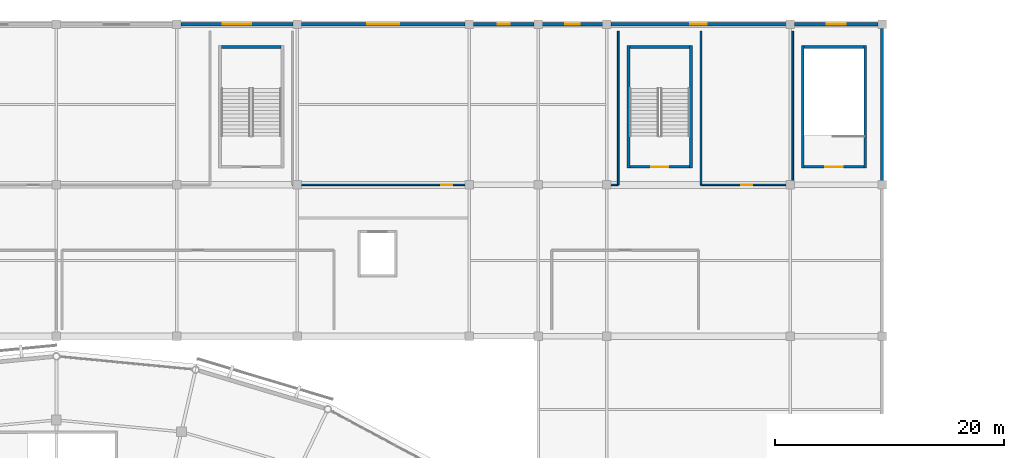
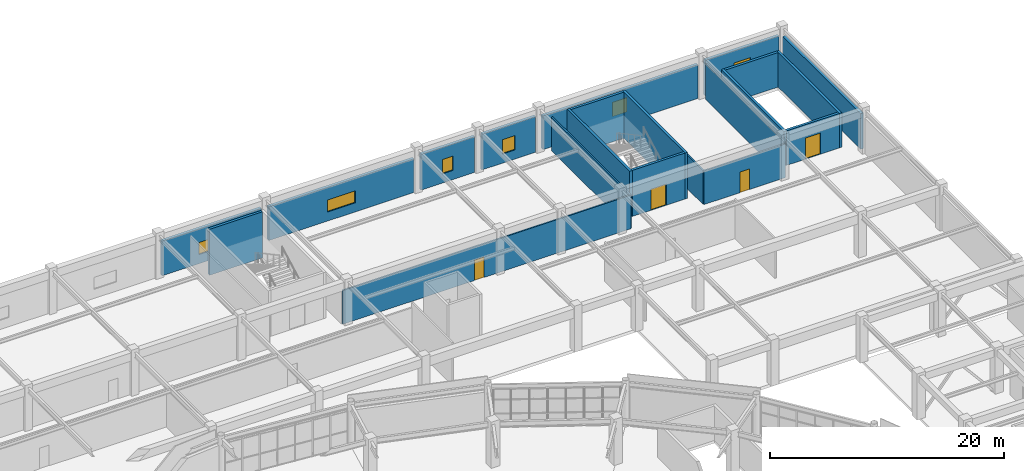
# One storey, part 92 of 112: 21 walls, 6 windows, 4 doors, 10 openings.
"""IFC4 building model written with IfcOpenShell, lengths in metres."""

from ifc_helpers import new_model, si_unit, direction, frame, frame_2d, origin, place, context, subcontext, project, spatial, rectangle, extrude, material, layer, layer_set, type_object, element, fill, save


model = new_model("IFC4")

# Units and contexts
model_context = context("Model", 3, precision=1e-05, world=origin(), true_north=direction((0.0, 1.0)))
body_context = subcontext(model_context, "Body", "Model", "MODEL_VIEW")
ifc_project = project(units=[si_unit("LENGTHUNIT", "METRE"), si_unit("AREAUNIT", "SQUARE_METRE"), si_unit("VOLUMEUNIT", "CUBIC_METRE"), si_unit("PLANEANGLEUNIT", "RADIAN"), si_unit("MASSUNIT", "GRAM", prefix="KILO")], contexts=[model_context])

# Site, building, storey
site_placement = place(None, origin())
site = spatial("IfcSite", under=ifc_project, at=site_placement, CompositionType="ELEMENT")
building_placement = place(site_placement, origin())
building = spatial("IfcBuilding", under=site, at=building_placement, Name="Cuetzalor Civic Arena", CompositionType="ELEMENT")
storey_placement = place(building_placement, frame((0.0, 0.0, 11.39990234375)))
storey = spatial("IfcBuildingStorey", under=building, at=storey_placement, Name="L02", CompositionType="ELEMENT", Elevation=11.39990234375)

# Wall, opening, door
ifc_material_1 = material(Name="Acoustic steel-stud gypsum partition", Category="steel")
ifc_layer_1 = layer(ifc_material_1, 0.14990234375)
ifc_layer_set_1 = layer_set([ifc_layer_1], Name="Acoustic steel-stud gypsum partition")
wall_type_1 = type_object("IfcWallType", Name="AcousticGypsumPartition_150", PredefinedType="PARTITIONING", material=ifc_layer_set_1)
wall_1_placement = place(storey_placement, frame((49.0, 61.5, 0.0), z_axis=(0.0, 0.0, 1.0), x_axis=(-1.0, 0.0, 0.0)))
wall_1 = element("IfcWall", 1, at=wall_1_placement, inside=storey, type_object=wall_type_1, Name="Interior Partition IWALL:L02:0370", PredefinedType="PARTITIONING", context=body_context, shape_type="SweptSolid", body=[
    extrude(rectangle(XDim=28.39990234375, YDim=0.14990234375, at=frame_2d((14.199951171875, 0.0))), origin(), (0.0, 0.0, 1.0), 3.505126953125),
])
opening_1_placement = place(wall_1_placement, frame((14.47509765625, 0.0, 0.0)))
opening_1 = element("IfcOpeningElement", 2, at=opening_1_placement, cuts=wall_1, Name="Opening ID-03", PredefinedType="OPENING", context=body_context, shape_type="SweptSolid", body=[
    extrude(rectangle(XDim=0.949951171875, YDim=2.14990234375, at=frame_2d((0.47509765625, 1.074951171875))), frame((0.0, 0.0849609375, 0.0), z_axis=(0.0, -1.0, 0.0), x_axis=(1.0, 0.0, 0.0)), (0.0, 0.0, 1.0), 0.169921875),
])
ifc_material_2 = material(Name="Painted steel frame and solid timber leaf", Category="steel")
door_type_1 = type_object("IfcDoorType", Name="InteriorSingleDoor_950x2150", OperationType="NOTDEFINED", PredefinedType="DOOR", material=ifc_material_2)
door_1_placement = place(opening_1_placement, origin())
door_1 = element("IfcDoor", 3, at=door_1_placement, inside=storey, type_object=door_type_1, Name="Door to Security Operations Room", OperationType="SINGLE_SWING_RIGHT", OverallHeight=2.14990234375, OverallWidth=0.949951171875, PredefinedType="DOOR", context=body_context, shape_type="SweptSolid", body=[
    extrude(rectangle(XDim=0.949951171875, YDim=2.14990234375, at=frame_2d((0.47509765625, 1.074951171875))), frame((0.0, 0.02490234375, 0.0), z_axis=(0.0, -1.0, 0.0), x_axis=(1.0, 0.0, 0.0)), (0.0, 0.0, 1.0), 0.050048828125),
])
fill(opening_1, door_1)

# Wall
wall_2_placement = place(storey_placement, frame((49.0, 74.89990234375, 0.0), z_axis=(0.0, 0.0, 1.0), x_axis=(0.0, -1.0, 0.0)))
element("IfcWall", 4, at=wall_2_placement, inside=storey, type_object=wall_type_1, Name="Interior Partition IWALL:L02:0371", PredefinedType="PARTITIONING", context=body_context, shape_type="SweptSolid", body=[
    extrude(rectangle(XDim=13.39990234375, YDim=0.14990234375, at=frame_2d((6.699951171875, 0.0))), origin(), (0.0, 0.0, 1.0), 3.505126953125),
])

# Wall, opening, door
wall_3_placement = place(storey_placement, frame((64.199951171875, 61.5, 0.0), z_axis=(0.0, 0.0, 1.0), x_axis=(-1.0, 0.0, 0.0)))
wall_3 = element("IfcWall", 5, at=wall_3_placement, inside=storey, type_object=wall_type_1, Name="Interior Partition IWALL:L02:0373", PredefinedType="PARTITIONING", context=body_context, shape_type="SweptSolid", body=[
    extrude(rectangle(XDim=8.0, YDim=0.14990234375, at=frame_2d((4.0, 0.0))), origin(), (0.0, 0.0, 1.0), 3.505126953125),
])
opening_2_placement = place(wall_3_placement, frame((3.52490234375, 0.0, 0.0)))
opening_2 = element("IfcOpeningElement", 6, at=opening_2_placement, cuts=wall_3, Name="Opening ID-03", PredefinedType="OPENING", context=body_context, shape_type="SweptSolid", body=[
    extrude(rectangle(XDim=0.949951171875, YDim=2.14990234375, at=frame_2d((0.47509765625, 1.074951171875))), frame((0.0, 0.0849609375, 0.0), z_axis=(0.0, -1.0, 0.0), x_axis=(1.0, 0.0, 0.0)), (0.0, 0.0, 1.0), 0.169921875),
])
door_2_placement = place(opening_2_placement, origin())
door_2 = element("IfcDoor", 7, at=door_2_placement, inside=storey, type_object=door_type_1, Name="Door to Public Restroom Admin L02", OperationType="SINGLE_SWING_LEFT", OverallHeight=2.14990234375, OverallWidth=0.949951171875, PredefinedType="DOOR", context=body_context, shape_type="SweptSolid", body=[
    extrude(rectangle(XDim=0.949951171875, YDim=2.14990234375, at=frame_2d((0.47509765625, 1.074951171875))), frame((0.0, 0.02490234375, 0.0), z_axis=(0.0, -1.0, 0.0), x_axis=(1.0, 0.0, 0.0)), (0.0, 0.0, 1.0), 0.050048828125),
])
fill(opening_2, door_2)

# Walls
wall_4_placement = place(storey_placement, frame((64.199951171875, 74.89990234375, 0.0), z_axis=(0.0, 0.0, 1.0), x_axis=(0.0, -1.0, 0.0)))
element("IfcWall", 8, at=wall_4_placement, inside=storey, type_object=wall_type_1, Name="Interior Partition IWALL:L02:0374", PredefinedType="PARTITIONING", context=body_context, shape_type="SweptSolid", body=[
    extrude(rectangle(XDim=13.39990234375, YDim=0.14990234375, at=frame_2d((6.699951171875, 0.0))), origin(), (0.0, 0.0, 1.0), 3.705078125),
])
wall_5_placement = place(storey_placement, frame((56.199951171875, 61.5, 0.0), z_axis=(0.0, 0.0, 1.0), x_axis=(0.0, 1.0, 0.0)))
element("IfcWall", 9, at=wall_5_placement, inside=storey, type_object=wall_type_1, Name="Interior Partition IWALL:L02:0375", PredefinedType="PARTITIONING", context=body_context, shape_type="SweptSolid", body=[
    extrude(rectangle(XDim=13.39990234375, YDim=0.14990234375, at=frame_2d((6.699951171875, 0.0))), origin(), (0.0, 0.0, 1.0), 3.505126953125),
])

# Wall, opening, window
ifc_material_3 = material(Name="Standing-seam charcoal zinc insulated wall", Category="steel")
ifc_layer_2 = layer(ifc_material_3, 0.280029296875)
ifc_layer_set_2 = layer_set([ifc_layer_2], Name="Standing-seam charcoal zinc insulated wall")
wall_type_2 = type_object("IfcWallType", Name="AcousticZincCladWall_280", PredefinedType="SOLIDWALL", material=ifc_layer_set_2)
wall_6_placement = place(storey_placement, frame((10.85693359375, 75.5, 0.0), z_axis=(0.0, 0.0, 1.0), x_axis=(1.0, 0.0, 0.0)))
wall_6 = element("IfcWall", 10, at=wall_6_placement, inside=storey, type_object=wall_type_2, Name="North Basalt Facade Wall L02-219", PredefinedType="SOLIDWALL", context=body_context, shape_type="SweptSolid", body=[
    extrude(rectangle(XDim=9.7861328125, YDim=0.280029296875, at=frame_2d((4.89306640625, 0.0))), origin(), (0.0, 0.0, 1.0), 3.6201171875),
])
opening_3_placement = place(wall_6_placement, frame((3.64306640625, 0.0, 0.949951171875)))
opening_3 = element("IfcOpeningElement", 11, at=opening_3_placement, cuts=wall_6, Name="Opening WN-08", PredefinedType="OPENING", context=body_context, shape_type="SweptSolid", body=[
    extrude(rectangle(XDim=2.5, YDim=1.25, at=frame_2d((1.25, 0.625))), frame((0.0, 0.14990234375, 0.0), z_axis=(0.0, -1.0, 0.0), x_axis=(1.0, 0.0, 0.0)), (0.0, 0.0, 1.0), 0.300048828125),
])
ifc_material_4 = material(Name="Anodised bronze aluminium and low-E solar glass", Category="aluminium")
window_type_1 = type_object("IfcWindowType", Name="BronzeThermalWindow_2500x1250", PartitioningType="DOUBLE_PANEL_VERTICAL", PredefinedType="WINDOW", material=ifc_material_4)
window_1_placement = place(opening_3_placement, origin())
window_1 = element("IfcWindow", 12, at=window_1_placement, inside=storey, type_object=window_type_1, Name="North Admin Window L02-0071", OverallHeight=1.25, OverallWidth=2.5, PartitioningType="SINGLE_PANEL", PredefinedType="WINDOW", context=body_context, shape_type="SweptSolid", body=[
    extrude(rectangle(XDim=2.5, YDim=1.25, at=frame_2d((1.25, 0.625))), frame((0.0, 0.030029296875, 0.0), z_axis=(0.0, -1.0, 0.0), x_axis=(1.0, 0.0, 0.0)), (0.0, 0.0, 1.0), 0.06005859375),
])
fill(opening_3, window_1)

wall_7_placement = place(storey_placement, frame((21.35693359375, 75.5, 0.0), z_axis=(0.0, 0.0, 1.0), x_axis=(1.0, 0.0, 0.0)))
wall_7 = element("IfcWall", 13, at=wall_7_placement, inside=storey, type_object=wall_type_2, Name="North Basalt Facade Wall L02-220", PredefinedType="SOLIDWALL", context=body_context, shape_type="SweptSolid", body=[
    extrude(rectangle(XDim=14.2861328125, YDim=0.280029296875, at=frame_2d((7.14306640625, 0.0))), origin(), (0.0, 0.0, 1.0), 3.52001953125),
])
opening_4_placement = place(wall_7_placement, frame((5.76806640625, 0.0, 0.949951171875)))
opening_4 = element("IfcOpeningElement", 14, at=opening_4_placement, cuts=wall_7, Name="Opening WN-09", PredefinedType="OPENING", context=body_context, shape_type="SweptSolid", body=[
    extrude(rectangle(XDim=2.75, YDim=1.25, at=frame_2d((1.375, 0.625))), frame((0.0, 0.14990234375, 0.0), z_axis=(0.0, -1.0, 0.0), x_axis=(1.0, 0.0, 0.0)), (0.0, 0.0, 1.0), 0.300048828125),
])
ifc_material_5 = material(Name="Anodised bronze aluminium and low-E solar glass", Category="aluminium")
window_type_2 = type_object("IfcWindowType", Name="BronzeThermalWindow_2750x1250", PartitioningType="DOUBLE_PANEL_VERTICAL", PredefinedType="WINDOW", material=ifc_material_5)
window_2_placement = place(opening_4_placement, origin())
window_2 = element("IfcWindow", 15, at=window_2_placement, inside=storey, type_object=window_type_2, Name="North Admin Window L02-0072", OverallHeight=1.25, OverallWidth=2.75, PartitioningType="SINGLE_PANEL", PredefinedType="WINDOW", context=body_context, shape_type="SweptSolid", body=[
    extrude(rectangle(XDim=2.75, YDim=1.25, at=frame_2d((1.375, 0.625))), frame((0.0, 0.030029296875, 0.0), z_axis=(0.0, -1.0, 0.0), x_axis=(1.0, 0.0, 0.0)), (0.0, 0.0, 1.0), 0.06005859375),
])
fill(opening_4, window_2)

wall_8_placement = place(storey_placement, frame((36.35693359375, 75.5, 0.0), z_axis=(0.0, 0.0, 1.0), x_axis=(1.0, 0.0, 0.0)))
wall_8 = element("IfcWall", 16, at=wall_8_placement, inside=storey, type_object=wall_type_2, Name="North Basalt Facade Wall L02-221", PredefinedType="SOLIDWALL", context=body_context, shape_type="SweptSolid", body=[
    extrude(rectangle(XDim=5.2861328125, YDim=0.280029296875, at=frame_2d((2.64306640625, 0.0))), origin(), (0.0, 0.0, 1.0), 3.72021484375),
])
opening_5_placement = place(wall_8_placement, frame((2.117919921875, 0.0, 0.949951171875)))
opening_5 = element("IfcOpeningElement", 17, at=opening_5_placement, cuts=wall_8, Name="Opening WN-10", PredefinedType="OPENING", context=body_context, shape_type="SweptSolid", body=[
    extrude(rectangle(XDim=1.050048828125, YDim=1.5, at=frame_2d((0.52490234375, 0.75))), frame((0.0, 0.14990234375, 0.0), z_axis=(0.0, -1.0, 0.0), x_axis=(1.0, 0.0, 0.0)), (0.0, 0.0, 1.0), 0.300048828125),
])
ifc_material_6 = material(Name="Anodised bronze aluminium and low-E solar glass", Category="aluminium")
window_type_3 = type_object("IfcWindowType", Name="BronzeThermalWindow_1050x1500", PartitioningType="SINGLE_PANEL", PredefinedType="WINDOW", material=ifc_material_6)
window_3_placement = place(opening_5_placement, origin())
window_3 = element("IfcWindow", 18, at=window_3_placement, inside=storey, type_object=window_type_3, Name="North Admin Window L02-0073", OverallHeight=1.5, OverallWidth=1.050048828125, PartitioningType="SINGLE_PANEL", PredefinedType="WINDOW", context=body_context, shape_type="SweptSolid", body=[
    extrude(rectangle(XDim=1.050048828125, YDim=1.5, at=frame_2d((0.52490234375, 0.75))), frame((0.0, 0.030029296875, 0.0), z_axis=(0.0, -1.0, 0.0), x_axis=(1.0, 0.0, 0.0)), (0.0, 0.0, 1.0), 0.06005859375),
])
fill(opening_5, window_3)

wall_9_placement = place(storey_placement, frame((42.35693359375, 75.5, 0.0), z_axis=(0.0, 0.0, 1.0), x_axis=(1.0, 0.0, 0.0)))
wall_9 = element("IfcWall", 19, at=wall_9_placement, inside=storey, type_object=wall_type_2, Name="North Basalt Facade Wall L02-222", PredefinedType="SOLIDWALL", context=body_context, shape_type="SweptSolid", body=[
    extrude(rectangle(XDim=5.2861328125, YDim=0.280029296875, at=frame_2d((2.64306640625, 0.0))), origin(), (0.0, 0.0, 1.0), 3.72021484375),
])
opening_6_placement = place(wall_9_placement, frame((2.01806640625, 0.0, 0.949951171875)))
opening_6 = element("IfcOpeningElement", 20, at=opening_6_placement, cuts=wall_9, Name="Opening WN-11", PredefinedType="OPENING", context=body_context, shape_type="SweptSolid", body=[
    extrude(rectangle(XDim=1.25, YDim=1.5, at=frame_2d((0.625, 0.75))), frame((0.0, 0.14990234375, 0.0), z_axis=(0.0, -1.0, 0.0), x_axis=(1.0, 0.0, 0.0)), (0.0, 0.0, 1.0), 0.300048828125),
])
ifc_material_7 = material(Name="Anodised bronze aluminium and low-E solar glass", Category="aluminium")
window_type_4 = type_object("IfcWindowType", Name="BronzeThermalWindow_1250x1500", PartitioningType="SINGLE_PANEL", PredefinedType="WINDOW", material=ifc_material_7)
window_4_placement = place(opening_6_placement, origin())
window_4 = element("IfcWindow", 21, at=window_4_placement, inside=storey, type_object=window_type_4, Name="North Admin Window L02-0074", OverallHeight=1.5, OverallWidth=1.25, PartitioningType="SINGLE_PANEL", PredefinedType="WINDOW", context=body_context, shape_type="SweptSolid", body=[
    extrude(rectangle(XDim=1.25, YDim=1.5, at=frame_2d((0.625, 0.75))), frame((0.0, 0.030029296875, 0.0), z_axis=(0.0, -1.0, 0.0), x_axis=(1.0, 0.0, 0.0)), (0.0, 0.0, 1.0), 0.06005859375),
])
fill(opening_6, window_4)

wall_10_placement = place(storey_placement, frame((48.35693359375, 75.5, 0.0), z_axis=(0.0, 0.0, 1.0), x_axis=(1.0, 0.0, 0.0)))
wall_10 = element("IfcWall", 22, at=wall_10_placement, inside=storey, type_object=wall_type_2, Name="North Basalt Facade Wall L02-223", PredefinedType="SOLIDWALL", context=body_context, shape_type="SweptSolid", body=[
    extrude(rectangle(XDim=15.2861328125, YDim=0.280029296875, at=frame_2d((7.64306640625, 0.0))), origin(), (0.0, 0.0, 1.0), 3.52001953125),
])
opening_7_placement = place(wall_10_placement, frame((6.91796875, 0.0, 0.949951171875)))
opening_7 = element("IfcOpeningElement", 23, at=opening_7_placement, cuts=wall_10, Name="Opening WN-12", PredefinedType="OPENING", context=body_context, shape_type="SweptSolid", body=[
    extrude(rectangle(XDim=1.449951171875, YDim=1.5, at=frame_2d((0.72509765625, 0.75))), frame((0.0, 0.14990234375, 0.0), z_axis=(0.0, -1.0, 0.0), x_axis=(1.0, 0.0, 0.0)), (0.0, 0.0, 1.0), 0.300048828125),
])
ifc_material_8 = material(Name="Anodised bronze aluminium and low-E solar glass", Category="aluminium")
window_type_5 = type_object("IfcWindowType", Name="BronzeThermalWindow_1450x1500", PartitioningType="SINGLE_PANEL", PredefinedType="WINDOW", material=ifc_material_8)
window_5_placement = place(opening_7_placement, origin())
window_5 = element("IfcWindow", 24, at=window_5_placement, inside=storey, type_object=window_type_5, Name="North Admin Window L02-0075", OverallHeight=1.5, OverallWidth=1.449951171875, PartitioningType="SINGLE_PANEL", PredefinedType="WINDOW", context=body_context, shape_type="SweptSolid", body=[
    extrude(rectangle(XDim=1.449951171875, YDim=1.5, at=frame_2d((0.72509765625, 0.75))), frame((0.0, 0.030029296875, 0.0), z_axis=(0.0, -1.0, 0.0), x_axis=(1.0, 0.0, 0.0)), (0.0, 0.0, 1.0), 0.06005859375),
])
fill(opening_7, window_5)

wall_11_placement = place(storey_placement, frame((64.35693359375, 75.5, 0.0), z_axis=(0.0, 0.0, 1.0), x_axis=(1.0, 0.0, 0.0)))
wall_11 = element("IfcWall", 25, at=wall_11_placement, inside=storey, type_object=wall_type_2, Name="North Basalt Facade Wall L02-224", PredefinedType="SOLIDWALL", context=body_context, shape_type="SweptSolid", body=[
    extrude(rectangle(XDim=7.2861328125, YDim=0.280029296875, at=frame_2d((3.64306640625, 0.0))), origin(), (0.0, 0.0, 1.0), 3.72021484375),
])
opening_8_placement = place(wall_11_placement, frame((2.818115234375, 0.0, 0.949951171875)))
opening_8 = element("IfcOpeningElement", 26, at=opening_8_placement, cuts=wall_11, Name="Opening WN-13", PredefinedType="OPENING", context=body_context, shape_type="SweptSolid", body=[
    extrude(rectangle(XDim=1.64990234375, YDim=1.5, at=frame_2d((0.824951171875, 0.75))), frame((0.0, 0.14990234375, 0.0), z_axis=(0.0, -1.0, 0.0), x_axis=(1.0, 0.0, 0.0)), (0.0, 0.0, 1.0), 0.300048828125),
])
ifc_material_9 = material(Name="Anodised bronze aluminium and low-E solar glass", Category="aluminium")
window_type_6 = type_object("IfcWindowType", Name="BronzeThermalWindow_1650x1500", PartitioningType="SINGLE_PANEL", PredefinedType="WINDOW", material=ifc_material_9)
window_6_placement = place(opening_8_placement, origin())
window_6 = element("IfcWindow", 27, at=window_6_placement, inside=storey, type_object=window_type_6, Name="North Admin Window L02-0076", OverallHeight=1.5, OverallWidth=1.64990234375, PartitioningType="SINGLE_PANEL", PredefinedType="WINDOW", context=body_context, shape_type="SweptSolid", body=[
    extrude(rectangle(XDim=1.64990234375, YDim=1.5, at=frame_2d((0.824951171875, 0.75))), frame((0.0, 0.030029296875, 0.0), z_axis=(0.0, -1.0, 0.0), x_axis=(1.0, 0.0, 0.0)), (0.0, 0.0, 1.0), 0.06005859375),
])
fill(opening_8, window_6)

# Walls
wall_12_placement = place(storey_placement, frame((72.0, 75.14306640625, 0.0), z_axis=(0.0, 0.0, 1.0), x_axis=(0.0, -1.0, 0.0)))
element("IfcWall", 28, at=wall_12_placement, inside=storey, type_object=wall_type_2, Name="North Wing East Basalt Wall L02-248", PredefinedType="SOLIDWALL", context=body_context, shape_type="SweptSolid", body=[
    extrude(rectangle(XDim=13.2861328125, YDim=0.280029296875, at=frame_2d((6.64306640625, 0.0))), origin(), (0.0, 0.0, 1.0), 3.72021484375),
])
ifc_material_10 = material(Name="Concrete C40/50", Category="concrete")
ifc_layer_3 = layer(ifc_material_10, 0.25)
ifc_layer_set_3 = layer_set([ifc_layer_3], Name="Concrete C40/50")
wall_type_3 = type_object("IfcWallType", Name="ConcreteCoreShearWall_250", PredefinedType="SHEAR", material=ifc_layer_set_3)
wall_13_placement = place(storey_placement, frame((14.39990234375, 73.52490234375, 0.0), z_axis=(0.0, 0.0, 1.0), x_axis=(1.0, 0.0, 0.0)))
element("IfcWall", 29, at=wall_13_placement, inside=storey, type_object=wall_type_3, Name="Stair Core Shear Wall ST-26-L02-N", PredefinedType="SHEAR", context=body_context, shape_type="SweptSolid", body=[
    extrude(rectangle(XDim=5.2001953125, YDim=0.25, at=frame_2d((2.60009765625, 0.0))), origin(), (0.0, 0.0, 1.0), 4.800048828125),
])
wall_14_placement = place(storey_placement, frame((49.875, 62.949951171875, 0.0), z_axis=(0.0, 0.0, 1.0), x_axis=(0.0, 1.0, 0.0)))
element("IfcWall", 30, at=wall_14_placement, inside=storey, type_object=wall_type_3, Name="Stair Core Shear Wall ST-27-L02-W", PredefinedType="SHEAR", context=body_context, shape_type="SweptSolid", body=[
    extrude(rectangle(XDim=10.699951171875, YDim=0.25, at=frame_2d((5.35009765625, 0.0))), origin(), (0.0, 0.0, 1.0), 4.800048828125),
])
wall_15_placement = place(storey_placement, frame((50.0, 73.52490234375, 0.0), z_axis=(0.0, 0.0, 1.0), x_axis=(1.0, 0.0, 0.0)))
element("IfcWall", 31, at=wall_15_placement, inside=storey, type_object=wall_type_3, Name="Stair Core Shear Wall ST-27-L02-N", PredefinedType="SHEAR", context=body_context, shape_type="SweptSolid", body=[
    extrude(rectangle(XDim=5.199951171875, YDim=0.25, at=frame_2d((2.60009765625, 0.0))), origin(), (0.0, 0.0, 1.0), 4.800048828125),
])
wall_16_placement = place(storey_placement, frame((55.324951171875, 73.64990234375, 0.0), z_axis=(0.0, 0.0, 1.0), x_axis=(0.0, -1.0, 0.0)))
element("IfcWall", 32, at=wall_16_placement, inside=storey, type_object=wall_type_3, Name="Stair Core Shear Wall ST-27-L02-E", PredefinedType="SHEAR", context=body_context, shape_type="SweptSolid", body=[
    extrude(rectangle(XDim=10.699951171875, YDim=0.25, at=frame_2d((5.35009765625, 0.0))), origin(), (0.0, 0.0, 1.0), 4.800048828125),
])

# Wall, opening, door
wall_17_placement = place(storey_placement, frame((55.199951171875, 63.074951171875, 0.0), z_axis=(0.0, 0.0, 1.0), x_axis=(-1.0, 0.0, 0.0)))
wall_17 = element("IfcWall", 33, at=wall_17_placement, inside=storey, type_object=wall_type_3, Name="Stair Core Shear Wall ST-27-L02-S", PredefinedType="SHEAR", context=body_context, shape_type="SweptSolid", body=[
    extrude(rectangle(XDim=5.199951171875, YDim=0.25, at=frame_2d((2.60009765625, 0.0))), origin(), (0.0, 0.0, 1.0), 4.800048828125),
])
opening_9_placement = place(wall_17_placement, frame((1.85009765625, 0.0, 0.0)))
opening_9 = element("IfcOpeningElement", 34, at=opening_9_placement, cuts=wall_17, Name="Opening FD-03", PredefinedType="OPENING", context=body_context, shape_type="SweptSolid", body=[
    extrude(rectangle(XDim=1.5, YDim=2.199951171875, at=frame_2d((0.75, 1.10009765625))), frame((0.0, 0.135009765625, 0.0), z_axis=(0.0, -1.0, 0.0), x_axis=(1.0, 0.0, 0.0)), (0.0, 0.0, 1.0), 0.27001953125),
])
ifc_material_11 = material(Name="Fire-rated steel stair exit double door", Category="steel")
door_type_2 = type_object("IfcDoorType", Name="StairFireDoubleDoor_1500x2200", OperationType="DOUBLE_DOOR_SINGLE_SWING", PredefinedType="DOOR", material=ifc_material_11)
door_3_placement = place(opening_9_placement, origin())
door_3 = element("IfcDoor", 35, at=door_3_placement, inside=storey, type_object=door_type_2, Name="Fire Stair Door ST-27 L02", OperationType="DOUBLE_DOOR_SINGLE_SWING", OverallHeight=2.199951171875, OverallWidth=1.5, PredefinedType="DOOR", context=body_context, shape_type="SweptSolid", body=[
    extrude(rectangle(XDim=1.5, YDim=2.199951171875, at=frame_2d((0.75, 1.10009765625))), frame((0.0, 0.02490234375, 0.0), z_axis=(0.0, -1.0, 0.0), x_axis=(1.0, 0.0, 0.0)), (0.0, 0.0, 1.0), 0.050048828125),
])
fill(opening_9, door_3)

# Walls
wall_18_placement = place(storey_placement, frame((65.074951171875, 62.949951171875, 0.0), z_axis=(0.0, 0.0, 1.0), x_axis=(0.0, 1.0, 0.0)))
element("IfcWall", 36, at=wall_18_placement, inside=storey, type_object=wall_type_3, Name="Stair Core Shear Wall ST-28-L02-W", PredefinedType="SHEAR", context=body_context, shape_type="SweptSolid", body=[
    extrude(rectangle(XDim=10.699951171875, YDim=0.25, at=frame_2d((5.35009765625, 0.0))), origin(), (0.0, 0.0, 1.0), 3.60009765625),
])
wall_19_placement = place(storey_placement, frame((65.199951171875, 73.52490234375, 0.0), z_axis=(0.0, 0.0, 1.0), x_axis=(1.0, 0.0, 0.0)))
element("IfcWall", 37, at=wall_19_placement, inside=storey, type_object=wall_type_3, Name="Stair Core Shear Wall ST-28-L02-N", PredefinedType="SHEAR", context=body_context, shape_type="SweptSolid", body=[
    extrude(rectangle(XDim=5.199951171875, YDim=0.25, at=frame_2d((2.60009765625, 0.0))), origin(), (0.0, 0.0, 1.0), 3.60009765625),
])
wall_20_placement = place(storey_placement, frame((70.52490234375, 73.64990234375, 0.0), z_axis=(0.0, 0.0, 1.0), x_axis=(0.0, -1.0, 0.0)))
element("IfcWall", 38, at=wall_20_placement, inside=storey, type_object=wall_type_3, Name="Stair Core Shear Wall ST-28-L02-E", PredefinedType="SHEAR", context=body_context, shape_type="SweptSolid", body=[
    extrude(rectangle(XDim=10.699951171875, YDim=0.25, at=frame_2d((5.35009765625, 0.0))), origin(), (0.0, 0.0, 1.0), 3.60009765625),
])

# Wall, opening, door
wall_21_placement = place(storey_placement, frame((70.39990234375, 63.074951171875, 0.0), z_axis=(0.0, 0.0, 1.0), x_axis=(-1.0, 0.0, 0.0)))
wall_21 = element("IfcWall", 39, at=wall_21_placement, inside=storey, type_object=wall_type_3, Name="Stair Core Shear Wall ST-28-L02-S", PredefinedType="SHEAR", context=body_context, shape_type="SweptSolid", body=[
    extrude(rectangle(XDim=5.199951171875, YDim=0.25, at=frame_2d((2.60009765625, 0.0))), origin(), (0.0, 0.0, 1.0), 3.60009765625),
])
opening_10_placement = place(wall_21_placement, frame((1.85009765625, 0.0, 0.0)))
opening_10 = element("IfcOpeningElement", 40, at=opening_10_placement, cuts=wall_21, Name="Opening FD-03", PredefinedType="OPENING", context=body_context, shape_type="SweptSolid", body=[
    extrude(rectangle(XDim=1.5, YDim=2.199951171875, at=frame_2d((0.75, 1.10009765625))), frame((0.0, 0.135009765625, 0.0), z_axis=(0.0, -1.0, 0.0), x_axis=(1.0, 0.0, 0.0)), (0.0, 0.0, 1.0), 0.27001953125),
])
door_4_placement = place(opening_10_placement, origin())
door_4 = element("IfcDoor", 41, at=door_4_placement, inside=storey, type_object=door_type_2, Name="Fire Stair Door ST-28 L02", OperationType="DOUBLE_DOOR_SINGLE_SWING", OverallHeight=2.199951171875, OverallWidth=1.5, PredefinedType="DOOR", context=body_context, shape_type="SweptSolid", body=[
    extrude(rectangle(XDim=1.5, YDim=2.199951171875, at=frame_2d((0.75, 1.10009765625))), frame((0.0, 0.02490234375, 0.0), z_axis=(0.0, -1.0, 0.0), x_axis=(1.0, 0.0, 0.0)), (0.0, 0.0, 1.0), 0.050048828125),
])
fill(opening_10, door_4)

save(model, "model.ifc")
